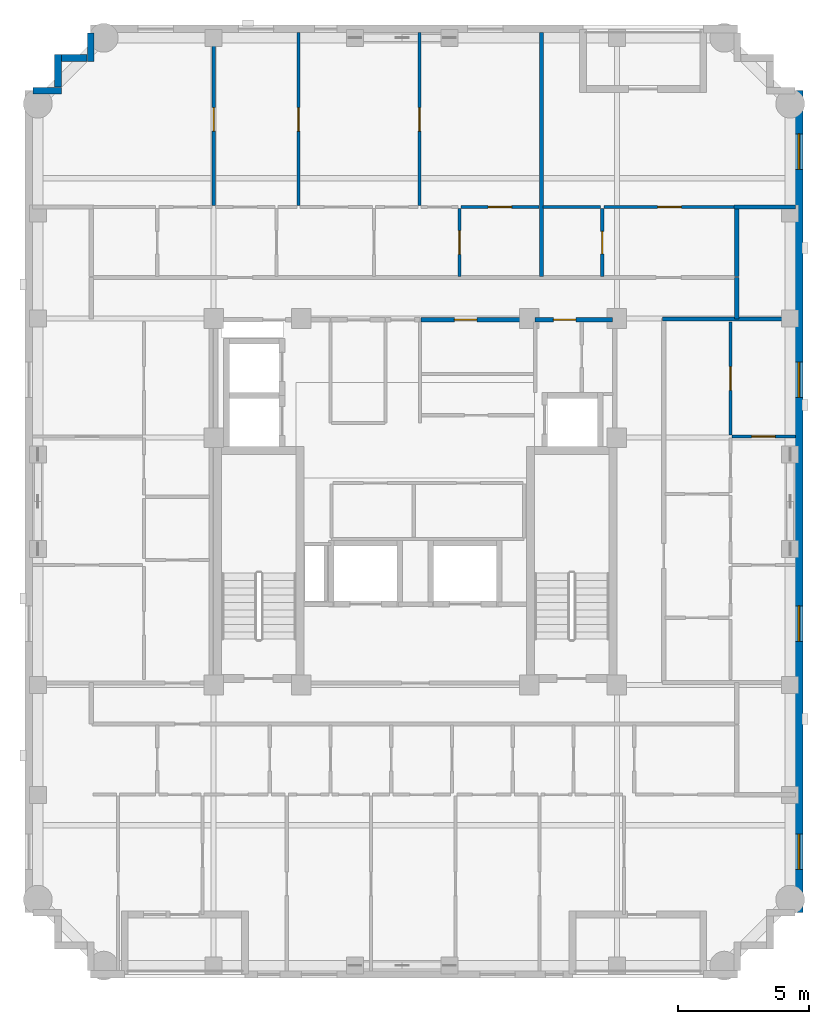
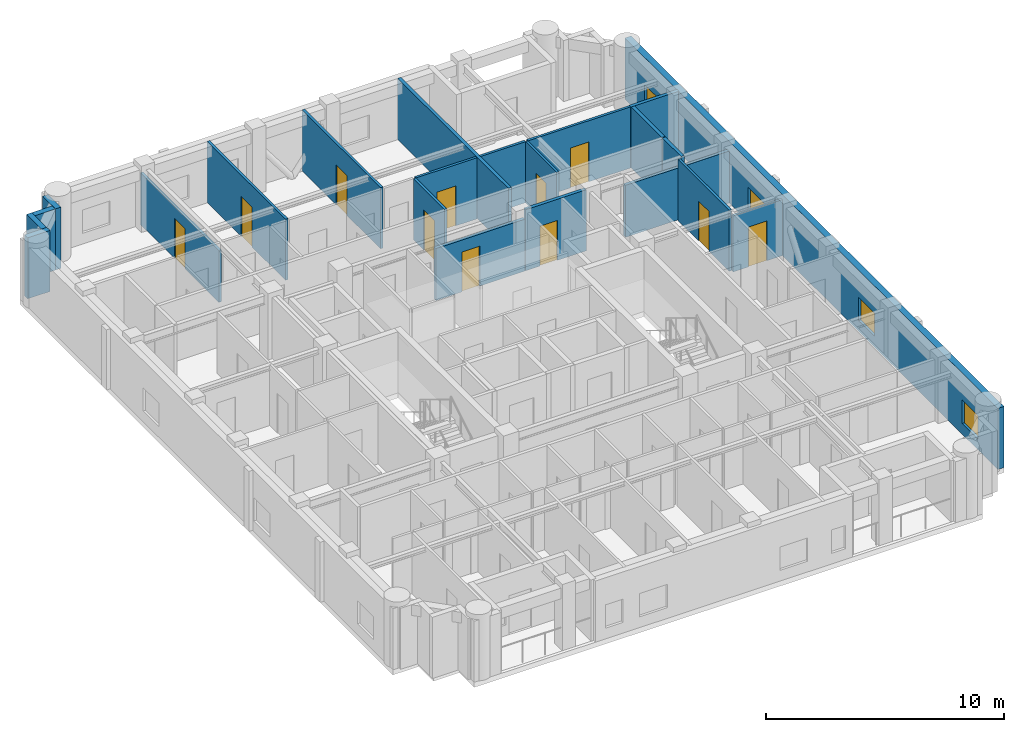
# One storey, part 7 of 11: 22 walls, 11 doors, 4 windows, 15 openings.
"""IFC4 building model written with IfcOpenShell, lengths in metres."""

from ifc_helpers import new_model, si_unit, derived_unit, direction, frame, frame_2d, origin, place, context, subcontext, project, spatial, rectangle, extrude, material, layer, layer_set, type_object, element, fill, save


model = new_model("IFC4")

# Units and contexts
model_context = context("Model", 3, precision=1e-05, world=origin(), true_north=direction((0.0, 1.0)))
body_context = subcontext(model_context, "Body", "Model", "MODEL_VIEW")
ifc_project = project(units=[si_unit("LENGTHUNIT", "METRE"), si_unit("AREAUNIT", "SQUARE_METRE"), si_unit("VOLUMEUNIT", "CUBIC_METRE"), si_unit("PLANEANGLEUNIT", "RADIAN"), si_unit("MASSUNIT", "GRAM", prefix="KILO"), derived_unit("THERMALTRANSMITTANCEUNIT", [(si_unit("MASSUNIT", "GRAM", prefix="KILO"), 1), (si_unit("TIMEUNIT", "SECOND"), -3), (si_unit("THERMODYNAMICTEMPERATUREUNIT", "KELVIN"), -1)])], contexts=[model_context])

# Site, building, storey
site_placement = place(None, origin())
site = spatial("IfcSite", under=ifc_project, at=site_placement, CompositionType="ELEMENT")
building_placement = place(site_placement, origin())
building = spatial("IfcBuilding", under=site, at=building_placement, Name="Korrvale Station Residences", CompositionType="ELEMENT")
storey_placement = place(building_placement, frame((0.0, 0.0, 230.89990234375)))
storey = spatial("IfcBuildingStorey", under=building, at=storey_placement, Name="L67", CompositionType="ELEMENT", Elevation=230.89990234375)

# Walls
ifc_material_1 = material(Name="Precast concrete C45/55", Category="concrete")
ifc_layer_1 = layer(ifc_material_1, 0.260009765625, Name="Precast concrete C45/55")
ifc_layer_set_1 = layer_set([ifc_layer_1], Name="Precast concrete C45/55")
wall_type_1 = type_object("IfcWallType", Name="WAL-EXT-LOG260", PredefinedType="SOLIDWALL", material=ifc_layer_set_1)
wall_1_placement = place(storey_placement, frame((10.902099609375, 37.699951171875, 0.0), z_axis=(0.0, 0.0, 1.0), x_axis=(1.0, 0.0, 0.0)))
element("IfcWall", 1, at=wall_1_placement, inside=storey, type_object=wall_type_1, Name="L67 Serrated Corner Precast Step NW-1", PredefinedType="SOLIDWALL", context=body_context, shape_type="SweptSolid", body=[
    extrude(rectangle(XDim=1.077880859375, YDim=0.260009765625, at=frame_2d((0.5390625, 0.0))), origin(), (0.0, 0.0, 1.0), 3.14013671875),
])
wall_2_placement = place(storey_placement, frame((11.85009765625, 37.83203125, 0.0), z_axis=(0.0, 0.0, 1.0), x_axis=(0.0, 1.0, 0.0)))
element("IfcWall", 2, at=wall_2_placement, inside=storey, type_object=wall_type_1, Name="L67 Serrated Corner Precast Step NW-2", PredefinedType="SOLIDWALL", context=body_context, shape_type="SweptSolid", body=[
    extrude(rectangle(XDim=1.248046875, YDim=0.260009765625, at=frame_2d((0.6240234375, 0.0))), origin(), (0.0, 0.0, 1.0), 3.14013671875),
])
wall_3_placement = place(storey_placement, frame((11.98193359375, 38.949951171875, 0.0), z_axis=(0.0, 0.0, 1.0), x_axis=(1.0, 0.0, 0.0)))
element("IfcWall", 3, at=wall_3_placement, inside=storey, type_object=wall_type_1, Name="L67 Serrated Corner Precast Step NW-3", PredefinedType="SOLIDWALL", context=body_context, shape_type="SweptSolid", body=[
    extrude(rectangle(XDim=0.986083984375, YDim=0.260009765625, at=frame_2d((0.4931640625, 0.0))), origin(), (0.0, 0.0, 1.0), 3.14013671875),
])
wall_4_placement = place(storey_placement, frame((13.10009765625, 38.820068359375, 0.0), z_axis=(0.0, 0.0, 1.0), x_axis=(0.0, 1.0, 0.0)))
element("IfcWall", 4, at=wall_4_placement, inside=storey, type_object=wall_type_1, Name="L67 Serrated Corner Precast Step NW-4", PredefinedType="SOLIDWALL", context=body_context, shape_type="SweptSolid", body=[
    extrude(rectangle(XDim=1.077880859375, YDim=0.260009765625, at=frame_2d((0.5390625, 0.0))), origin(), (0.0, 0.0, 1.0), 3.14013671875),
])

# Wall, openings, windows
ifc_layer_2 = layer(ifc_material_1, 0.300048828125, Name="Precast concrete C45/55")
ifc_layer_set_2 = layer_set([ifc_layer_2], Name="Precast concrete C45/55")
wall_type_2 = type_object("IfcWallType", Name="WAL-EXT-PC300", PredefinedType="SOLIDWALL", material=ifc_layer_set_2)
wall_5_placement = place(storey_placement, frame((40.14990234375, 37.699951171875, 0.0), z_axis=(0.0, 0.0, 1.0), x_axis=(0.0, -1.0, 0.0)))
wall_5 = element("IfcWall", 5, at=wall_5_placement, inside=storey, type_object=wall_type_2, Name="L67 East Exterior Precast Wall 1", PredefinedType="SOLIDWALL", context=body_context, shape_type="SweptSolid", body=[
    extrude(rectangle(XDim=31.39990234375, YDim=0.300048828125, at=frame_2d((15.699951171875, 0.0))), origin(), (0.0, 0.0, 1.0), 3.14013671875),
])
opening_1_placement = place(wall_5_placement, frame((28.39599609375, 0.0, 0.550048828125)))
opening_1 = element("IfcOpeningElement", 6, at=opening_1_placement, cuts=wall_5, Name="Opening W-10", PredefinedType="OPENING", context=body_context, shape_type="SweptSolid", body=[
    extrude(rectangle(XDim=1.35009765625, YDim=1.199951171875, at=frame_2d((0.675048828125, 0.60009765625))), frame((0.0, 0.16015625, 0.0), z_axis=(0.0, -1.0, 0.0), x_axis=(1.0, 0.0, 0.0)), (0.0, 0.0, 1.0), 0.320068359375),
])
opening_2_placement = place(wall_5_placement, frame((1.653076171875, 0.0, 0.550048828125)))
opening_2 = element("IfcOpeningElement", 7, at=opening_2_placement, cuts=wall_5, Name="Opening W-10", PredefinedType="OPENING", context=body_context, shape_type="SweptSolid", body=[
    extrude(rectangle(XDim=1.35009765625, YDim=1.199951171875, at=frame_2d((0.675048828125, 0.60009765625))), frame((0.0, 0.16015625, 0.0), z_axis=(0.0, -1.0, 0.0), x_axis=(1.0, 0.0, 0.0)), (0.0, 0.0, 1.0), 0.320068359375),
])
opening_3_placement = place(wall_5_placement, frame((19.68310546875, 0.0, 0.550048828125)))
opening_3 = element("IfcOpeningElement", 8, at=opening_3_placement, cuts=wall_5, Name="Opening W-10", PredefinedType="OPENING", context=body_context, shape_type="SweptSolid", body=[
    extrude(rectangle(XDim=1.35009765625, YDim=1.199951171875, at=frame_2d((0.675048828125, 0.60009765625))), frame((0.0, 0.16015625, 0.0), z_axis=(0.0, -1.0, 0.0), x_axis=(1.0, 0.0, 0.0)), (0.0, 0.0, 1.0), 0.320068359375),
])
opening_4_placement = place(wall_5_placement, frame((10.366943359375, 0.0, 0.550048828125)))
opening_4 = element("IfcOpeningElement", 9, at=opening_4_placement, cuts=wall_5, Name="Opening W-10", PredefinedType="OPENING", context=body_context, shape_type="SweptSolid", body=[
    extrude(rectangle(XDim=1.35009765625, YDim=1.199951171875, at=frame_2d((0.675048828125, 0.60009765625))), frame((0.0, 0.16015625, 0.0), z_axis=(0.0, -1.0, 0.0), x_axis=(1.0, 0.0, 0.0)), (0.0, 0.0, 1.0), 0.320068359375),
])
ifc_material_2 = material(Name="Thermally broken aluminium frame with triple low-e glazing", Category="aluminium")
window_type = type_object("IfcWindowType", Name="WIN-W10", PartitioningType="SINGLE_PANEL", PredefinedType="WINDOW", material=ifc_material_2)
window_1_placement = place(opening_1_placement, origin())
window_1 = element("IfcWindow", 10, at=window_1_placement, inside=storey, type_object=window_type, Name="L67 Punched Window 07", OverallHeight=1.199951171875, OverallWidth=1.35009765625, PartitioningType="SINGLE_PANEL", PredefinedType="WINDOW", context=body_context, shape_type="SweptSolid", body=[
    extrude(rectangle(XDim=1.35009765625, YDim=1.199951171875, at=frame_2d((0.675048828125, 0.60009765625))), frame((0.0, 0.030029296875, 0.0), z_axis=(0.0, -1.0, 0.0), x_axis=(1.0, 0.0, 0.0)), (0.0, 0.0, 1.0), 0.06005859375),
])
fill(opening_1, window_1)
window_2_placement = place(opening_2_placement, origin())
window_2 = element("IfcWindow", 11, at=window_2_placement, inside=storey, type_object=window_type, Name="L67 Punched Window 12", OverallHeight=1.199951171875, OverallWidth=1.35009765625, PartitioningType="SINGLE_PANEL", PredefinedType="WINDOW", context=body_context, shape_type="SweptSolid", body=[
    extrude(rectangle(XDim=1.35009765625, YDim=1.199951171875, at=frame_2d((0.675048828125, 0.60009765625))), frame((0.0, 0.030029296875, 0.0), z_axis=(0.0, -1.0, 0.0), x_axis=(1.0, 0.0, 0.0)), (0.0, 0.0, 1.0), 0.06005859375),
])
fill(opening_2, window_2)
window_3_placement = place(opening_3_placement, origin())
window_3 = element("IfcWindow", 12, at=window_3_placement, inside=storey, type_object=window_type, Name="L67 Punched Window 15", OverallHeight=1.199951171875, OverallWidth=1.35009765625, PartitioningType="SINGLE_PANEL", PredefinedType="WINDOW", context=body_context, shape_type="SweptSolid", body=[
    extrude(rectangle(XDim=1.35009765625, YDim=1.199951171875, at=frame_2d((0.675048828125, 0.60009765625))), frame((0.0, 0.030029296875, 0.0), z_axis=(0.0, -1.0, 0.0), x_axis=(1.0, 0.0, 0.0)), (0.0, 0.0, 1.0), 0.06005859375),
])
fill(opening_3, window_3)
window_4_placement = place(opening_4_placement, origin())
window_4 = element("IfcWindow", 13, at=window_4_placement, inside=storey, type_object=window_type, Name="L67 Punched Window 16", OverallHeight=1.199951171875, OverallWidth=1.35009765625, PartitioningType="SINGLE_PANEL", PredefinedType="WINDOW", context=body_context, shape_type="SweptSolid", body=[
    extrude(rectangle(XDim=1.35009765625, YDim=1.199951171875, at=frame_2d((0.675048828125, 0.60009765625))), frame((0.0, 0.030029296875, 0.0), z_axis=(0.0, -1.0, 0.0), x_axis=(1.0, 0.0, 0.0)), (0.0, 0.0, 1.0), 0.06005859375),
])
fill(opening_4, window_4)

# Wall, opening, door
ifc_material_3 = material(Name="Acoustic steel-stud gypsum board partition", Category="steel")
ifc_layer_3 = layer(ifc_material_3, 0.1201171875, Name="Acoustic steel-stud gypsum board partition")
ifc_layer_set_3 = layer_set([ifc_layer_3], Name="Acoustic steel-stud gypsum board partition")
wall_type_3 = type_object("IfcWallType", Name="WAL-PART-125", PredefinedType="PARTITIONING", material=ifc_layer_set_3)
wall_6_placement = place(storey_placement, frame((27.18994140625, 30.60009765625, 0.0), z_axis=(0.0, 0.0, 1.0), x_axis=(0.0, 1.0, 0.0)))
wall_6 = element("IfcWall", 14, at=wall_6_placement, inside=storey, type_object=wall_type_3, Name="L67 Suite Partition U02-V34", PredefinedType="PARTITIONING", context=body_context, shape_type="SweptSolid", body=[
    extrude(rectangle(XDim=2.599853515625, YDim=0.1201171875, at=frame_2d((1.2998046875, 0.0))), origin(), (0.0, 0.0, 1.0), 3.14013671875),
])
opening_5_placement = place(wall_6_placement, frame((0.85009765625, 0.0, 0.0)))
opening_5 = element("IfcOpeningElement", 15, at=opening_5_placement, cuts=wall_6, Name="Opening DI-900", PredefinedType="OPENING", context=body_context, shape_type="SweptSolid", body=[
    extrude(rectangle(XDim=0.89990234375, YDim=2.050048828125, at=frame_2d((0.449951171875, 1.02490234375))), frame((0.0, 0.070068359375, 0.0), z_axis=(0.0, -1.0, 0.0), x_axis=(1.0, 0.0, 0.0)), (0.0, 0.0, 1.0), 0.14013671875),
])
ifc_material_4 = material(Name="Painted solid-core timber interior room door", Category="wood")
door_type_1 = type_object("IfcDoorType", Name="DR-INT-900", OperationType="NOTDEFINED", PredefinedType="DOOR", material=ifc_material_4)
door_1_placement = place(opening_5_placement, origin())
door_1 = element("IfcDoor", 16, at=door_1_placement, inside=storey, type_object=door_type_1, Name="L67 Apartment 2BR L67-U02 Storage Closet 2 Door", OperationType="SINGLE_SWING_RIGHT", OverallHeight=2.050048828125, OverallWidth=0.89990234375, PredefinedType="DOOR", context=body_context, shape_type="SweptSolid", body=[
    extrude(rectangle(XDim=0.89990234375, YDim=2.050048828125, at=frame_2d((0.449951171875, 1.02490234375))), frame((0.0, 0.02490234375, 0.0), z_axis=(0.0, -1.0, 0.0), x_axis=(1.0, 0.0, 0.0)), (0.0, 0.0, 1.0), 0.050048828125),
])
fill(opening_5, door_1)

wall_7_placement = place(storey_placement, frame((27.25, 33.260009765625, 0.0), z_axis=(0.0, 0.0, 1.0), x_axis=(1.0, 0.0, 0.0)))
wall_7 = element("IfcWall", 17, at=wall_7_placement, inside=storey, type_object=wall_type_3, Name="L67 Suite Partition U02-H48", PredefinedType="PARTITIONING", context=body_context, shape_type="SweptSolid", body=[
    extrude(rectangle(XDim=2.967041015625, YDim=0.1201171875, at=frame_2d((1.4833984375, 0.0))), origin(), (0.0, 0.0, 1.0), 3.14013671875),
])
opening_6_placement = place(wall_7_placement, frame((1.032958984375, 0.0, 0.0)))
opening_6 = element("IfcOpeningElement", 18, at=opening_6_placement, cuts=wall_7, Name="Opening DI-900", PredefinedType="OPENING", context=body_context, shape_type="SweptSolid", body=[
    extrude(rectangle(XDim=0.89990234375, YDim=2.050048828125, at=frame_2d((0.449951171875, 1.02490234375))), frame((0.0, 0.070068359375, 0.0), z_axis=(0.0, -1.0, 0.0), x_axis=(1.0, 0.0, 0.0)), (0.0, 0.0, 1.0), 0.14013671875),
])
door_2_placement = place(opening_6_placement, origin())
door_2 = element("IfcDoor", 19, at=door_2_placement, inside=storey, type_object=door_type_1, Name="L67 Apartment 2BR L67-U02 Storage Closet 3 Door", OperationType="SINGLE_SWING_LEFT", OverallHeight=2.050048828125, OverallWidth=0.89990234375, PredefinedType="DOOR", context=body_context, shape_type="SweptSolid", body=[
    extrude(rectangle(XDim=0.89990234375, YDim=2.050048828125, at=frame_2d((0.449951171875, 1.02490234375))), frame((0.0, 0.02490234375, 0.0), z_axis=(0.0, -1.0, 0.0), x_axis=(1.0, 0.0, 0.0)), (0.0, 0.0, 1.0), 0.050048828125),
])
fill(opening_6, door_2)

wall_8_placement = place(storey_placement, frame((17.800048828125, 33.320068359375, 0.0), z_axis=(0.0, 0.0, 1.0), x_axis=(0.0, 1.0, 0.0)))
wall_8 = element("IfcWall", 20, at=wall_8_placement, inside=storey, type_object=wall_type_3, Name="L67 Suite Partition U02-V56", PredefinedType="PARTITIONING", context=body_context, shape_type="SweptSolid", body=[
    extrude(rectangle(XDim=6.599853515625, YDim=0.1201171875, at=frame_2d((3.2998046875, 0.0))), origin(), (0.0, 0.0, 1.0), 2.668212890625),
])
opening_7_placement = place(wall_8_placement, frame((2.8349609375, 0.0, 0.0)))
opening_7 = element("IfcOpeningElement", 21, at=opening_7_placement, cuts=wall_8, Name="Opening DI-900", PredefinedType="OPENING", context=body_context, shape_type="SweptSolid", body=[
    extrude(rectangle(XDim=0.89990234375, YDim=2.050048828125, at=frame_2d((0.449951171875, 1.02490234375))), frame((0.0, 0.070068359375, 0.0), z_axis=(0.0, -1.0, 0.0), x_axis=(1.0, 0.0, 0.0)), (0.0, 0.0, 1.0), 0.14013671875),
])
door_3_placement = place(opening_7_placement, origin())
door_3 = element("IfcDoor", 22, at=door_3_placement, inside=storey, type_object=door_type_1, Name="L67 Apartment 2BR L67-U02 Living and Dining Room Door", OperationType="SINGLE_SWING_RIGHT", OverallHeight=2.050048828125, OverallWidth=0.89990234375, PredefinedType="DOOR", context=body_context, shape_type="SweptSolid", body=[
    extrude(rectangle(XDim=0.89990234375, YDim=2.050048828125, at=frame_2d((0.449951171875, 1.02490234375))), frame((0.0, 0.02490234375, 0.0), z_axis=(0.0, -1.0, 0.0), x_axis=(1.0, 0.0, 0.0)), (0.0, 0.0, 1.0), 0.050048828125),
])
fill(opening_7, door_3)

wall_9_placement = place(storey_placement, frame((21.037109375, 33.320068359375, 0.0), z_axis=(0.0, 0.0, 1.0), x_axis=(0.0, 1.0, 0.0)))
wall_9 = element("IfcWall", 23, at=wall_9_placement, inside=storey, type_object=wall_type_3, Name="L67 Suite Partition U02-V67", PredefinedType="PARTITIONING", context=body_context, shape_type="SweptSolid", body=[
    extrude(rectangle(XDim=6.599853515625, YDim=0.1201171875, at=frame_2d((3.2998046875, 0.0))), origin(), (0.0, 0.0, 1.0), 3.14013671875),
])
opening_8_placement = place(wall_9_placement, frame((2.8349609375, 0.0, 0.0)))
opening_8 = element("IfcOpeningElement", 24, at=opening_8_placement, cuts=wall_9, Name="Opening DI-900", PredefinedType="OPENING", context=body_context, shape_type="SweptSolid", body=[
    extrude(rectangle(XDim=0.89990234375, YDim=2.050048828125, at=frame_2d((0.449951171875, 1.02490234375))), frame((0.0, 0.070068359375, 0.0), z_axis=(0.0, -1.0, 0.0), x_axis=(1.0, 0.0, 0.0)), (0.0, 0.0, 1.0), 0.14013671875),
])
door_4_placement = place(opening_8_placement, origin())
door_4 = element("IfcDoor", 25, at=door_4_placement, inside=storey, type_object=door_type_1, Name="L67 Apartment 2BR L67-U02 Formal Dining Room Door", OperationType="SINGLE_SWING_LEFT", OverallHeight=2.050048828125, OverallWidth=0.89990234375, PredefinedType="DOOR", context=body_context, shape_type="SweptSolid", body=[
    extrude(rectangle(XDim=0.89990234375, YDim=2.050048828125, at=frame_2d((0.449951171875, 1.02490234375))), frame((0.0, 0.02490234375, 0.0), z_axis=(0.0, -1.0, 0.0), x_axis=(1.0, 0.0, 0.0)), (0.0, 0.0, 1.0), 0.050048828125),
])
fill(opening_8, door_4)

wall_10_placement = place(storey_placement, frame((25.656982421875, 33.320068359375, 0.0), z_axis=(0.0, 0.0, 1.0), x_axis=(0.0, 1.0, 0.0)))
wall_10 = element("IfcWall", 26, at=wall_10_placement, inside=storey, type_object=wall_type_3, Name="L67 Suite Partition U02-V78", PredefinedType="PARTITIONING", context=body_context, shape_type="SweptSolid", body=[
    extrude(rectangle(XDim=6.599853515625, YDim=0.1201171875, at=frame_2d((3.2998046875, 0.0))), origin(), (0.0, 0.0, 1.0), 3.14013671875),
])
opening_9_placement = place(wall_10_placement, frame((2.8349609375, 0.0, 0.0)))
opening_9 = element("IfcOpeningElement", 27, at=opening_9_placement, cuts=wall_10, Name="Opening DI-900", PredefinedType="OPENING", context=body_context, shape_type="SweptSolid", body=[
    extrude(rectangle(XDim=0.89990234375, YDim=2.050048828125, at=frame_2d((0.449951171875, 1.02490234375))), frame((0.0, 0.070068359375, 0.0), z_axis=(0.0, -1.0, 0.0), x_axis=(1.0, 0.0, 0.0)), (0.0, 0.0, 1.0), 0.14013671875),
])
door_5_placement = place(opening_9_placement, origin())
door_5 = element("IfcDoor", 28, at=door_5_placement, inside=storey, type_object=door_type_1, Name="L67 Apartment 2BR L67-U02 Bedroom 1 Door", OperationType="SINGLE_SWING_RIGHT", OverallHeight=2.050048828125, OverallWidth=0.89990234375, PredefinedType="DOOR", context=body_context, shape_type="SweptSolid", body=[
    extrude(rectangle(XDim=0.89990234375, YDim=2.050048828125, at=frame_2d((0.449951171875, 1.02490234375))), frame((0.0, 0.02490234375, 0.0), z_axis=(0.0, -1.0, 0.0), x_axis=(1.0, 0.0, 0.0)), (0.0, 0.0, 1.0), 0.050048828125),
])
fill(opening_9, door_5)

wall_11_placement = place(storey_placement, frame((32.639892578125, 30.60009765625, 0.0), z_axis=(0.0, 0.0, 1.0), x_axis=(0.0, 1.0, 0.0)))
wall_11 = element("IfcWall", 29, at=wall_11_placement, inside=storey, type_object=wall_type_3, Name="L67 Suite Partition U03-V01", PredefinedType="PARTITIONING", context=body_context, shape_type="SweptSolid", body=[
    extrude(rectangle(XDim=2.599853515625, YDim=0.1201171875, at=frame_2d((1.2998046875, 0.0))), origin(), (0.0, 0.0, 1.0), 3.14013671875),
])
opening_10_placement = place(wall_11_placement, frame((0.8701171875, 0.0, 0.0)))
opening_10 = element("IfcOpeningElement", 30, at=opening_10_placement, cuts=wall_11, Name="Opening DB-860", PredefinedType="OPENING", context=body_context, shape_type="SweptSolid", body=[
    extrude(rectangle(XDim=0.860107421875, YDim=2.050048828125, at=frame_2d((0.43017578125, 1.02490234375))), frame((0.0, 0.070068359375, 0.0), z_axis=(0.0, -1.0, 0.0), x_axis=(1.0, 0.0, 0.0)), (0.0, 0.0, 1.0), 0.14013671875),
])
ifc_material_5 = material(Name="Moisture-resistant solid-core bathroom door", Category="timber")
door_type_2 = type_object("IfcDoorType", Name="DR-BATH-860", OperationType="NOTDEFINED", PredefinedType="DOOR", material=ifc_material_5)
door_6_placement = place(opening_10_placement, origin())
door_6 = element("IfcDoor", 31, at=door_6_placement, inside=storey, type_object=door_type_2, Name="L67 Studio Apartment L67-U03 Bathroom Door", OperationType="SINGLE_SWING_LEFT", OverallHeight=2.050048828125, OverallWidth=0.860107421875, PredefinedType="DOOR", context=body_context, shape_type="SweptSolid", body=[
    extrude(rectangle(XDim=0.860107421875, YDim=2.050048828125, at=frame_2d((0.43017578125, 1.02490234375))), frame((0.0, 0.02490234375, 0.0), z_axis=(0.0, -1.0, 0.0), x_axis=(1.0, 0.0, 0.0)), (0.0, 0.0, 1.0), 0.050048828125),
])
fill(opening_10, door_6)

# Wall
wall_12_placement = place(storey_placement, frame((30.376953125, 33.260009765625, 0.0), z_axis=(0.0, 0.0, 1.0), x_axis=(1.0, 0.0, 0.0)))
element("IfcWall", 32, at=wall_12_placement, inside=storey, type_object=wall_type_3, Name="L67 Suite Partition U03-H02", PredefinedType="PARTITIONING", context=body_context, shape_type="SweptSolid", body=[
    extrude(rectangle(XDim=2.203125, YDim=0.1201171875, at=frame_2d((1.1015625, 0.0))), origin(), (0.0, 0.0, 1.0), 3.14013671875),
])

# Wall, opening, door
wall_13_placement = place(storey_placement, frame((32.699951171875, 33.260009765625, 0.0), z_axis=(0.0, 0.0, 1.0), x_axis=(1.0, 0.0, 0.0)))
wall_13 = element("IfcWall", 33, at=wall_13_placement, inside=storey, type_object=wall_type_3, Name="L67 Suite Partition U03-H12", PredefinedType="PARTITIONING", context=body_context, shape_type="SweptSolid", body=[
    extrude(rectangle(XDim=5.02001953125, YDim=0.1201171875, at=frame_2d((2.510009765625, 0.0))), origin(), (0.0, 0.0, 1.0), 3.14013671875),
])
opening_11_placement = place(wall_13_placement, frame((2.06005859375, 0.0, 0.0)))
opening_11 = element("IfcOpeningElement", 34, at=opening_11_placement, cuts=wall_13, Name="Opening DI-900", PredefinedType="OPENING", context=body_context, shape_type="SweptSolid", body=[
    extrude(rectangle(XDim=0.89990234375, YDim=2.050048828125, at=frame_2d((0.449951171875, 1.02490234375))), frame((0.0, 0.070068359375, 0.0), z_axis=(0.0, -1.0, 0.0), x_axis=(1.0, 0.0, 0.0)), (0.0, 0.0, 1.0), 0.14013671875),
])
door_7_placement = place(opening_11_placement, origin())
door_7 = element("IfcDoor", 35, at=door_7_placement, inside=storey, type_object=door_type_1, Name="L67 Studio Apartment L67-U03 Kitchen Door", OperationType="SINGLE_SWING_RIGHT", OverallHeight=2.050048828125, OverallWidth=0.89990234375, PredefinedType="DOOR", context=body_context, shape_type="SweptSolid", body=[
    extrude(rectangle(XDim=0.89990234375, YDim=2.050048828125, at=frame_2d((0.449951171875, 1.02490234375))), frame((0.0, 0.02490234375, 0.0), z_axis=(0.0, -1.0, 0.0), x_axis=(1.0, 0.0, 0.0)), (0.0, 0.0, 1.0), 0.050048828125),
])
fill(opening_11, door_7)

wall_14_placement = place(storey_placement, frame((37.5400390625, 24.552001953125, 0.0), z_axis=(0.0, 0.0, 1.0), x_axis=(0.0, 1.0, 0.0)))
wall_14 = element("IfcWall", 36, at=wall_14_placement, inside=storey, type_object=wall_type_3, Name="L67 Suite Partition U05-V05", PredefinedType="PARTITIONING", context=body_context, shape_type="SweptSolid", body=[
    extrude(rectangle(XDim=4.30810546875, YDim=0.1201171875, at=frame_2d((2.154052734375, 0.0))), origin(), (0.0, 0.0, 1.0), 3.14013671875),
])
opening_12_placement = place(wall_14_placement, frame((1.7041015625, 0.0, 0.0)))
opening_12 = element("IfcOpeningElement", 37, at=opening_12_placement, cuts=wall_14, Name="Opening DI-900", PredefinedType="OPENING", context=body_context, shape_type="SweptSolid", body=[
    extrude(rectangle(XDim=0.89990234375, YDim=2.050048828125, at=frame_2d((0.449951171875, 1.02490234375))), frame((0.0, 0.070068359375, 0.0), z_axis=(0.0, -1.0, 0.0), x_axis=(1.0, 0.0, 0.0)), (0.0, 0.0, 1.0), 0.14013671875),
])
door_8_placement = place(opening_12_placement, origin())
door_8 = element("IfcDoor", 38, at=door_8_placement, inside=storey, type_object=door_type_1, Name="L67 Apartment 2BR L67-U05 Wardrobe Storage Room Door", OperationType="SINGLE_SWING_RIGHT", OverallHeight=2.050048828125, OverallWidth=0.89990234375, PredefinedType="DOOR", context=body_context, shape_type="SweptSolid", body=[
    extrude(rectangle(XDim=0.89990234375, YDim=2.050048828125, at=frame_2d((0.449951171875, 1.02490234375))), frame((0.0, 0.02490234375, 0.0), z_axis=(0.0, -1.0, 0.0), x_axis=(1.0, 0.0, 0.0)), (0.0, 0.0, 1.0), 0.050048828125),
])
fill(opening_12, door_8)

wall_15_placement = place(storey_placement, frame((37.60009765625, 24.491943359375, 0.0), z_axis=(0.0, 0.0, 1.0), x_axis=(1.0, 0.0, 0.0)))
wall_15 = element("IfcWall", 39, at=wall_15_placement, inside=storey, type_object=wall_type_3, Name="L67 Suite Partition U05-H45", PredefinedType="PARTITIONING", context=body_context, shape_type="SweptSolid", body=[
    extrude(rectangle(XDim=2.419921875, YDim=0.1201171875, at=frame_2d((1.2099609375, 0.0))), origin(), (0.0, 0.0, 1.0), 2.878173828125),
])
opening_13_placement = place(wall_15_placement, frame((0.7451171875, 0.0, 0.0)))
opening_13 = element("IfcOpeningElement", 40, at=opening_13_placement, cuts=wall_15, Name="Opening DI-900", PredefinedType="OPENING", context=body_context, shape_type="SweptSolid", body=[
    extrude(rectangle(XDim=0.89990234375, YDim=2.050048828125, at=frame_2d((0.449951171875, 1.02490234375))), frame((0.0, 0.070068359375, 0.0), z_axis=(0.0, -1.0, 0.0), x_axis=(1.0, 0.0, 0.0)), (0.0, 0.0, 1.0), 0.14013671875),
])
door_9_placement = place(opening_13_placement, origin())
door_9 = element("IfcDoor", 41, at=door_9_placement, inside=storey, type_object=door_type_1, Name="L67 Apartment 2BR L67-U05 Living and Dining Room Door", OperationType="SINGLE_SWING_LEFT", OverallHeight=2.050048828125, OverallWidth=0.89990234375, PredefinedType="DOOR", context=body_context, shape_type="SweptSolid", body=[
    extrude(rectangle(XDim=0.89990234375, YDim=2.050048828125, at=frame_2d((0.449951171875, 1.02490234375))), frame((0.0, 0.02490234375, 0.0), z_axis=(0.0, -1.0, 0.0), x_axis=(1.0, 0.0, 0.0)), (0.0, 0.0, 1.0), 0.050048828125),
])
fill(opening_13, door_9)

ifc_material_6 = material(Name="Fire-rated twin-stud gypsum and mineral wool shaftwall assembly", Category="gypsum")
ifc_layer_4 = layer(ifc_material_6, 0.159912109375, Name="Fire-rated twin-stud gypsum and mineral wool shaftwall assembly")
ifc_layer_set_4 = layer_set([ifc_layer_4], Name="Fire-rated twin-stud gypsum and mineral wool shaftwall assembly")
wall_type_4 = type_object("IfcWallType", Name="WAL-PART-200", PredefinedType="PARTITIONING", material=ifc_layer_set_4)
wall_16_placement = place(storey_placement, frame((30.080078125, 28.949951171875, 0.0), z_axis=(0.0, 0.0, 1.0), x_axis=(1.0, 0.0, 0.0)))
wall_16 = element("IfcWall", 42, at=wall_16_placement, inside=storey, type_object=wall_type_4, Name="L67 Core Partition CW-CS-N", PredefinedType="PARTITIONING", context=body_context, shape_type="SweptSolid", body=[
    extrude(rectangle(XDim=2.9599609375, YDim=0.159912109375, at=frame_2d((1.47998046875, 0.0))), origin(), (0.0, 0.0, 1.0), 3.14013671875),
])
opening_14_placement = place(wall_16_placement, frame((0.695068359375, 0.0, 0.0)))
opening_14 = element("IfcOpeningElement", 43, at=opening_14_placement, cuts=wall_16, Name="Opening DB-860", PredefinedType="OPENING", context=body_context, shape_type="SweptSolid", body=[
    extrude(rectangle(XDim=0.860107421875, YDim=2.050048828125, at=frame_2d((0.43017578125, 1.02490234375))), frame((0.0, 0.08984375, 0.0), z_axis=(0.0, -1.0, 0.0), x_axis=(1.0, 0.0, 0.0)), (0.0, 0.0, 1.0), 0.179931640625),
])
door_10_placement = place(opening_14_placement, origin())
door_10 = element("IfcDoor", 44, at=door_10_placement, inside=storey, type_object=door_type_2, Name="L67 Housekeeping Supply Door", OperationType="SINGLE_SWING_RIGHT", OverallHeight=2.050048828125, OverallWidth=0.860107421875, PredefinedType="DOOR", context=body_context, shape_type="SweptSolid", body=[
    extrude(rectangle(XDim=0.860107421875, YDim=2.050048828125, at=frame_2d((0.43017578125, 1.02490234375))), frame((0.0, 0.02490234375, 0.0), z_axis=(0.0, -1.0, 0.0), x_axis=(1.0, 0.0, 0.0)), (0.0, 0.0, 1.0), 0.050048828125),
])
fill(opening_14, door_10)

wall_17_placement = place(storey_placement, frame((25.719970703125, 28.949951171875, 0.0), z_axis=(0.0, 0.0, 1.0), x_axis=(1.0, 0.0, 0.0)))
wall_17 = element("IfcWall", 45, at=wall_17_placement, inside=storey, type_object=wall_type_4, Name="L67 Core Partition CW-FPLE-N", PredefinedType="PARTITIONING", context=body_context, shape_type="SweptSolid", body=[
    extrude(rectangle(XDim=4.320068359375, YDim=0.159912109375, at=frame_2d((2.16015625, 0.0))), origin(), (0.0, 0.0, 1.0), 2.668212890625),
])
opening_15_placement = place(wall_17_placement, frame((1.27001953125, 0.0, 0.0)))
opening_15 = element("IfcOpeningElement", 46, at=opening_15_placement, cuts=wall_17, Name="Opening DB-860", PredefinedType="OPENING", context=body_context, shape_type="SweptSolid", body=[
    extrude(rectangle(XDim=0.860107421875, YDim=2.050048828125, at=frame_2d((0.43017578125, 1.02490234375))), frame((0.0, 0.08984375, 0.0), z_axis=(0.0, -1.0, 0.0), x_axis=(1.0, 0.0, 0.0)), (0.0, 0.0, 1.0), 0.179931640625),
])
door_11_placement = place(opening_15_placement, origin())
door_11 = element("IfcDoor", 47, at=door_11_placement, inside=storey, type_object=door_type_2, Name="L67 Luggage Store Door", OperationType="SINGLE_SWING_LEFT", OverallHeight=2.050048828125, OverallWidth=0.860107421875, PredefinedType="DOOR", context=body_context, shape_type="SweptSolid", body=[
    extrude(rectangle(XDim=0.860107421875, YDim=2.050048828125, at=frame_2d((0.43017578125, 1.02490234375))), frame((0.0, 0.02490234375, 0.0), z_axis=(0.0, -1.0, 0.0), x_axis=(1.0, 0.0, 0.0)), (0.0, 0.0, 1.0), 0.050048828125),
])
fill(opening_15, door_11)

# Walls
wall_18_placement = place(storey_placement, frame((37.780029296875, 28.97998046875, 0.0), z_axis=(0.0, 0.0, 1.0), x_axis=(0.0, 1.0, 0.0)))
element("IfcWall", 48, at=wall_18_placement, inside=storey, type_object=wall_type_4, Name="L67 Corridor North East Cap", PredefinedType="PARTITIONING", context=body_context, shape_type="SweptSolid", body=[
    extrude(rectangle(XDim=1.580078125, YDim=0.159912109375, at=frame_2d((0.7900390625, 0.0))), origin(), (0.0, 0.0, 1.0), 3.14013671875),
])
wall_19_placement = place(storey_placement, frame((34.949951171875, 28.97998046875, 0.0), z_axis=(0.0, 0.0, 1.0), x_axis=(1.0, 0.0, 0.0)))
element("IfcWall", 49, at=wall_19_placement, inside=storey, type_object=wall_type_4, Name="L67 East Wing North Corridor Wall", PredefinedType="PARTITIONING", context=body_context, shape_type="SweptSolid", body=[
    extrude(rectangle(XDim=5.070068359375, YDim=0.159912109375, at=frame_2d((2.53515625, 0.0))), origin(), (0.0, 0.0, 1.0), 2.668212890625),
])
wall_20_placement = place(storey_placement, frame((37.679931640625, 33.260009765625, 0.0), z_axis=(0.0, 0.0, 1.0), x_axis=(1.0, 0.0, 0.0)))
element("IfcWall", 50, at=wall_20_placement, inside=storey, type_object=wall_type_4, Name="L67 Corner Step Wall U03-R", PredefinedType="PARTITIONING", context=body_context, shape_type="SweptSolid", body=[
    extrude(rectangle(XDim=2.340087890625, YDim=0.159912109375, at=frame_2d((1.169921875, 0.0))), origin(), (0.0, 0.0, 1.0), 3.14013671875),
])
wall_21_placement = place(storey_placement, frame((37.780029296875, 30.60009765625, 0.0), z_axis=(0.0, 0.0, 1.0), x_axis=(0.0, 1.0, 0.0)))
element("IfcWall", 51, at=wall_21_placement, inside=storey, type_object=wall_type_4, Name="L67 Corner Step Cheek U03-R", PredefinedType="PARTITIONING", context=body_context, shape_type="SweptSolid", body=[
    extrude(rectangle(XDim=2.659912109375, YDim=0.159912109375, at=frame_2d((1.330078125, 0.0))), origin(), (0.0, 0.0, 1.0), 3.14013671875),
])
wall_22_placement = place(storey_placement, frame((30.31689453125, 30.60009765625, 0.0), z_axis=(0.0, 0.0, 1.0), x_axis=(0.0, 1.0, 0.0)))
element("IfcWall", 52, at=wall_22_placement, inside=storey, type_object=wall_type_4, Name="L67 Demising Wall U03-W", PredefinedType="PARTITIONING", context=body_context, shape_type="SweptSolid", body=[
    extrude(rectangle(XDim=9.31982421875, YDim=0.159912109375, at=frame_2d((4.659912109375, 0.0))), origin(), (0.0, 0.0, 1.0), 3.14013671875),
])

save(model, "model.ifc")
